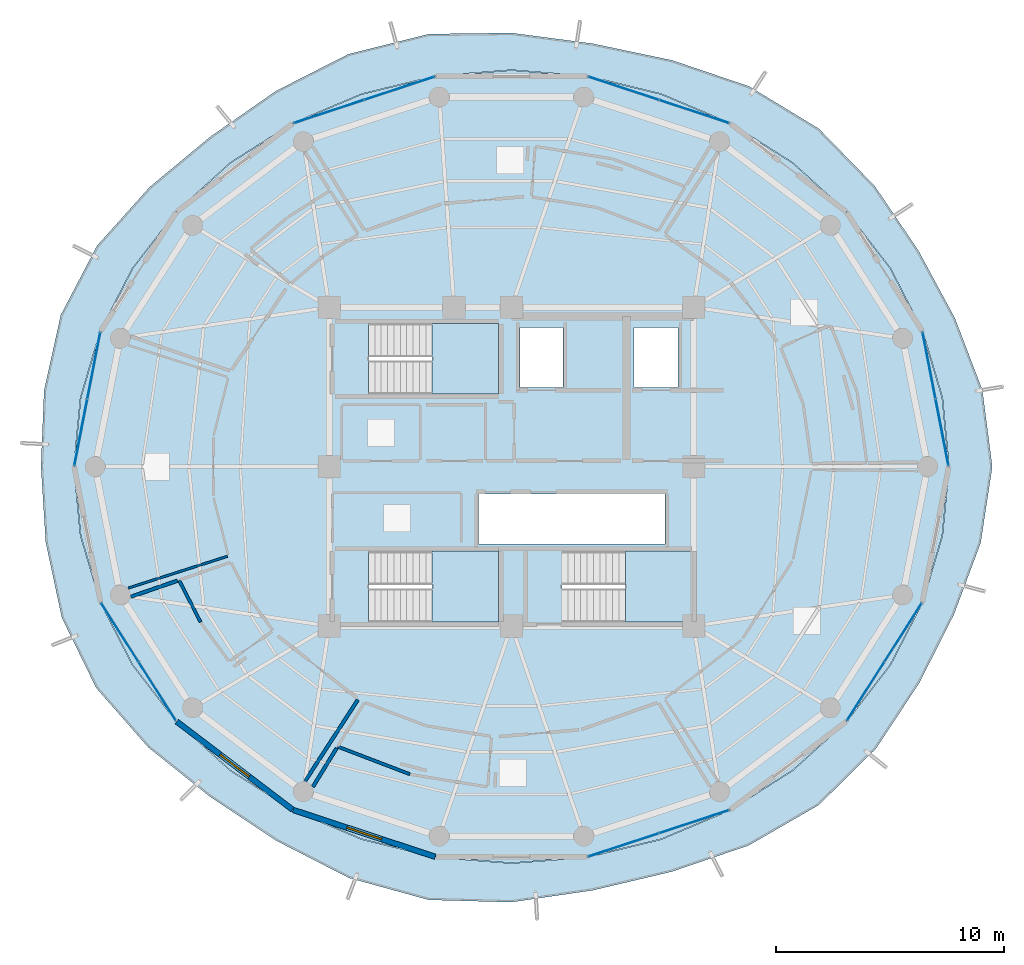
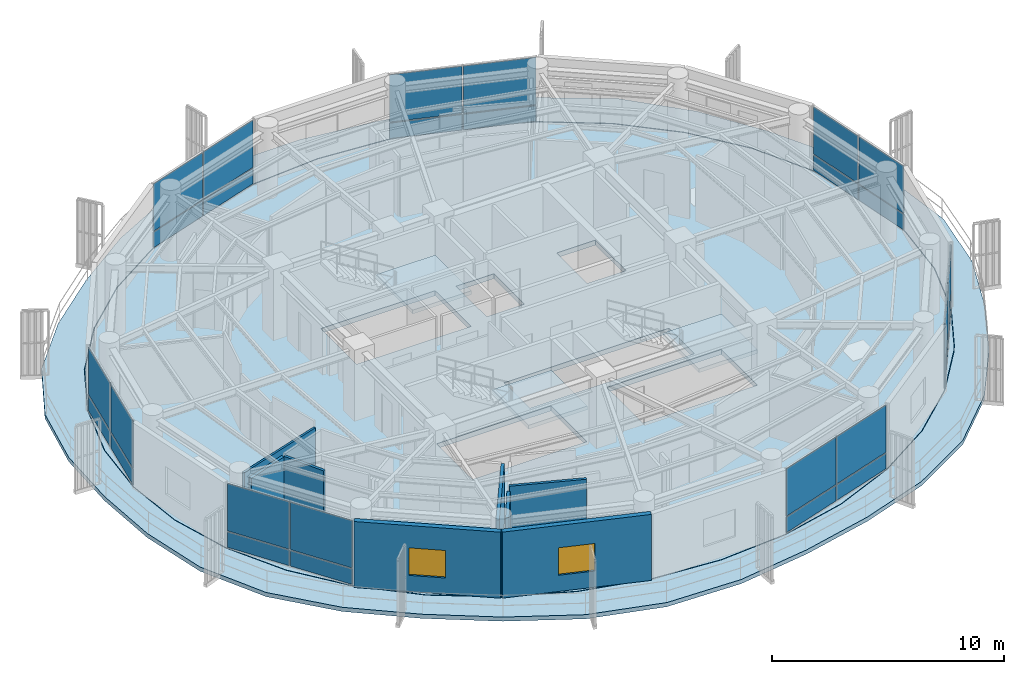
# One storey, part 15 of 23: 28 plates, 8 walls, 5 slabs, 2 windows, 2 openings, 10 elements without a shape of their own.
"""IFC4 building model written with IfcOpenShell, lengths in metres."""

import ifcopenshell
import ifcopenshell.guid

model = None  # the IFC model being written
_history = None  # IfcOwnerHistory: only IFC2X3 demands one
_inside = {}  # id of a spatial element -> (the spatial element, [elements in it])
_under = {}  # id of a project, library or spatial element -> (it, [spatial elements below it])
_declared = {}  # id of a project -> (the project, [libraries it declares])
_typed = {}  # id of a type object -> (the type object, [elements of that type])
_made_of = {}  # id of a material, layer set ... -> (it, [elements and type objects made of it])


def new_model(schema):
    """Start an empty IFC model of exactly this schema.

    Asked for "IFC4X3", IfcOpenShell would pick the latest addendum, in which some entities
    have other attributes; the version numbers below select the first issue.
    IFC2X3 requires an IfcOwnerHistory on every rooted entity: one is made here for all.
    """
    global model, _history
    if schema == "IFC4X3":
        model = ifcopenshell.file(schema_version=(4, 3, 0, 0))
    else:
        model = ifcopenshell.file(schema=schema)
    _inside.clear()
    _under.clear()
    _declared.clear()
    _typed.clear()
    _made_of.clear()
    _history = None
    if model.schema == "IFC2X3":
        org = make("IfcOrganization", Name="unknown")
        user = make(
            "IfcPersonAndOrganization",
            ThePerson=make("IfcPerson", FamilyName="unknown"),
            TheOrganization=org,
        )
        app = make(
            "IfcApplication",
            ApplicationDeveloper=org,
            Version="unknown",
            ApplicationFullName="unknown",
            ApplicationIdentifier="unknown",
        )
        _history = make(
            "IfcOwnerHistory",
            OwningUser=user,
            OwningApplication=app,
            ChangeAction="ADDED",
            CreationDate=0,
        )
    return model


def make(cls, **values):
    """One entity of the class cls with the attributes given. An attribute that is None is left unset."""
    return model.create_entity(
        cls, **{name: value for name, value in values.items() if value is not None}
    )


def rooted(cls, **values):
    """An entity with a GlobalId (a new one), such as an element, a storey or a relation."""
    return make(cls, GlobalId=ifcopenshell.guid.new(), OwnerHistory=_history, **values)


def si_unit(unit_type, name, prefix=None):
    """IfcSIUnit, for example si_unit("LENGTHUNIT", "METRE", prefix="MILLI")."""
    return make("IfcSIUnit", UnitType=unit_type, Prefix=prefix, Name=name)


def assignment(units):
    """IfcUnitAssignment: the units of a project."""
    return None if units is None else make("IfcUnitAssignment", Units=units)


def point(xyz):
    """IfcCartesianPoint."""
    return None if xyz is None else make("IfcCartesianPoint", Coordinates=xyz)


def direction(xyz):
    """IfcDirection."""
    return None if xyz is None else make("IfcDirection", DirectionRatios=xyz)


def frame(location, z_axis=None, x_axis=None):
    """IfcAxis2Placement3D, a coordinate frame: its origin and axes. An axis left out is left unset."""
    return make(
        "IfcAxis2Placement3D",
        Location=point(location),
        Axis=direction(z_axis),
        RefDirection=direction(x_axis),
    )


def frame_2d(location, x_axis=None):
    """IfcAxis2Placement2D, a coordinate frame in the plane: its origin and x axis."""
    return make(
        "IfcAxis2Placement2D", Location=point(location), RefDirection=direction(x_axis)
    )


def origin():
    """The frame at (0, 0, 0) with its axes left unset."""
    return frame((0.0, 0.0, 0.0))


def origin_2d():
    """The frame at (0, 0) in the plane with its x axis left unset."""
    return frame_2d((0.0, 0.0))


def place(relative_to, where):
    """IfcLocalPlacement: puts the frame where relative to a parent placement (None: the world)."""
    return make(
        "IfcLocalPlacement", PlacementRelTo=relative_to, RelativePlacement=where
    )


def context(
    kind, dimensions, precision=None, world=None, true_north=None, identifier=None
):
    """IfcGeometricRepresentationContext, for example the 3D "Model" context."""
    return make(
        "IfcGeometricRepresentationContext",
        ContextIdentifier=identifier,
        ContextType=kind,
        CoordinateSpaceDimension=dimensions,
        Precision=precision,
        WorldCoordinateSystem=world,
        TrueNorth=true_north,
    )


def subcontext(parent, identifier, kind, view, scale=None):
    """IfcGeometricRepresentationSubContext, for example "Body" below "Model"."""
    return make(
        "IfcGeometricRepresentationSubContext",
        ContextIdentifier=identifier,
        ContextType=kind,
        ParentContext=parent,
        TargetScale=scale,
        TargetView=view,
    )


def project(units=None, contexts=None):
    """IfcProject with its units and contexts."""
    return rooted(
        "IfcProject",
        Name="project",
        RepresentationContexts=contexts,
        UnitsInContext=assignment(units),
    )


def spatial(cls, under=None, at=None, **own):
    """A site, building, storey or space (cls), placed at a placement, below another one or the project."""
    s = rooted(cls, ObjectPlacement=at, **own)
    if under is not None:
        _under.setdefault(under.id(), (under, []))[1].append(s)
    return s


def polyline(points):
    """IfcPolyline through the points."""
    return make("IfcPolyline", Points=[point(p) for p in points])


def profile(cls, at=None, kind="AREA", **sizes):
    """A parametric profile (cls). Its sizes go by their IFC names, for example OverallWidth=200.0."""
    return make(cls, ProfileType=kind, Position=at, **sizes)


def rectangle(**sizes):
    """IfcRectangleProfileDef."""
    return profile("IfcRectangleProfileDef", **sizes)


def outline(outer, holes=None, kind="AREA"):
    """IfcArbitraryClosedProfileDef: a profile drawn as a closed curve; with holes, ...WithVoids."""
    if holes is None:
        return make("IfcArbitraryClosedProfileDef", ProfileType=kind, OuterCurve=outer)
    return make(
        "IfcArbitraryProfileDefWithVoids",
        ProfileType=kind,
        OuterCurve=outer,
        InnerCurves=holes,
    )


def extrude(swept, where, along, depth):
    """IfcExtrudedAreaSolid: the profile swept, set in the frame where, extruded along a direction by depth."""
    return make(
        "IfcExtrudedAreaSolid",
        SweptArea=swept,
        Position=where,
        ExtrudedDirection=direction(along),
        Depth=depth,
    )


def shape(context_of_items, identifier, shape_type, items):
    """IfcShapeRepresentation: the items that make up one representation, for example the "Body"."""
    return make(
        "IfcShapeRepresentation",
        ContextOfItems=context_of_items,
        RepresentationIdentifier=identifier,
        RepresentationType=shape_type,
        Items=items,
    )


def source(mapping_origin, context_of_items, identifier, shape_type, items):
    """IfcRepresentationMap: a shape defined once, which mapped items show again and again."""
    return make(
        "IfcRepresentationMap",
        MappingOrigin=mapping_origin,
        MappedRepresentation=shape(context_of_items, identifier, shape_type, items),
    )


def transform(
    local_origin,
    x_axis=None,
    y_axis=None,
    z_axis=None,
    scale=None,
    scale2=None,
    scale3=None,
    uniform=True,
):
    """IfcCartesianTransformationOperator3D, or its non-uniform kind. x_axis, y_axis, z_axis: its Axis1, 2, 3."""
    if uniform:
        return make(
            "IfcCartesianTransformationOperator3D",
            Axis1=direction(x_axis),
            Axis2=direction(y_axis),
            LocalOrigin=point(local_origin),
            Scale=scale,
            Axis3=direction(z_axis),
        )
    return make(
        "IfcCartesianTransformationOperator3DnonUniform",
        Axis1=direction(x_axis),
        Axis2=direction(y_axis),
        LocalOrigin=point(local_origin),
        Scale=scale,
        Axis3=direction(z_axis),
        Scale2=scale2,
        Scale3=scale3,
    )


def mapped(mapping_source, mapping_target):
    """IfcMappedItem: shows the shape of a source again, moved by a transform."""
    return make(
        "IfcMappedItem", MappingSource=mapping_source, MappingTarget=mapping_target
    )


def material(Name=None, Category=None):
    """IfcMaterial."""
    return make("IfcMaterial", Name=Name, Category=Category)


def layer(
    of_material, thickness, ventilated=None, Name=None, Category=None, Priority=None
):
    """IfcMaterialLayer: one layer of a wall or slab, of a material (None: an air gap)."""
    return make(
        "IfcMaterialLayer",
        Material=of_material,
        LayerThickness=thickness,
        IsVentilated=ventilated,
        Name=Name,
        Category=Category,
        Priority=Priority,
    )


def layer_set(layers, Name=None):
    """IfcMaterialLayerSet."""
    return make("IfcMaterialLayerSet", MaterialLayers=layers, LayerSetName=Name)


def made_of(thing, what):
    """Note that an element or type object is made of a material, layer set ...; save() writes the relation."""
    if what is not None:
        _made_of.setdefault(what.id(), (what, []))[1].append(thing)
    return thing


def type_object(cls, material=None, **own):
    """A type object (cls), such as IfcWallType, which elements share."""
    return made_of(rooted(cls, **own), material)


def element(
    cls,
    number,
    at=None,
    inside=None,
    cuts=None,
    type_object=None,
    material=None,
    context=None,
    identifier="Body",
    shape_type=None,
    held_by="IfcProductDefinitionShape",
    body=None,
    shapes=None,
    **own,
):
    """One element of the class cls, such as IfcWall. Its Tag is "e" and its number.

    at: its placement. inside: the storey or other place that contains it. cuts: it is an
    opening in that element (IfcRelVoidsElement). A single representation is given by context,
    identifier, shape_type and body (its items); several are given by shapes. held_by: the class
    of the entity that holds the representations. save() writes the other relations.
    """
    e = rooted(cls, Tag="e%d" % number, ObjectPlacement=at, **own)
    if body is not None:
        shapes = [shape(context, identifier, shape_type, body)]
    if shapes is not None:
        e.Representation = make(held_by, Representations=shapes)
    if inside is not None:
        _inside.setdefault(inside.id(), (inside, []))[1].append(e)
    if cuts is not None:
        rooted(
            "IfcRelVoidsElement", RelatingBuildingElement=cuts, RelatedOpeningElement=e
        )
    if type_object is not None:
        _typed.setdefault(type_object.id(), (type_object, []))[1].append(e)
    return made_of(e, material)


def fill(opening, filler):
    """IfcRelFillsElement: the door or window that sits in an opening."""
    return rooted(
        "IfcRelFillsElement",
        RelatingOpeningElement=opening,
        RelatedBuildingElement=filler,
    )


def aggregate(whole, parts):
    """IfcRelAggregates: a whole, such as a stair, and the parts it consists of."""
    return rooted("IfcRelAggregates", RelatingObject=whole, RelatedObjects=parts)


def save(model, path):
    """Write the relations noted so far, then the file.

    IfcRelAggregates (storeys below a building ...), IfcRelContainedInSpatialStructure (elements
    in a storey), IfcRelDefinesByType, IfcRelAssociatesMaterial and IfcRelDeclares: one each for
    every whole, place, type object, material and project.
    """
    for whole, parts in _under.values():
        aggregate(whole, parts)
    for where, things in _inside.values():
        rooted(
            "IfcRelContainedInSpatialStructure",
            RelatedElements=things,
            RelatingStructure=where,
        )
    for kind, things in _typed.values():
        rooted("IfcRelDefinesByType", RelatedObjects=things, RelatingType=kind)
    for what, things in _made_of.values():
        rooted("IfcRelAssociatesMaterial", RelatedObjects=things, RelatingMaterial=what)
    for by, libraries in _declared.values():
        rooted("IfcRelDeclares", RelatingContext=by, RelatedDefinitions=libraries)
    model.write(path)


model = new_model("IFC4")

# Units and contexts
model_context = context("Model", 3, precision=1e-05, world=origin(), true_north=direction((0.0, 1.0)))
body_context = subcontext(model_context, "Body", "Model", "MODEL_VIEW")
ifc_project = project(units=[si_unit("LENGTHUNIT", "METRE"), si_unit("AREAUNIT", "SQUARE_METRE"), si_unit("VOLUMEUNIT", "CUBIC_METRE"), si_unit("PLANEANGLEUNIT", "RADIAN"), si_unit("MASSUNIT", "GRAM", prefix="KILO")], contexts=[model_context])

# Site, building, storey
site_placement = place(None, origin())
site = spatial("IfcSite", under=ifc_project, at=site_placement, CompositionType="ELEMENT")
building_placement = place(site_placement, origin())
building = spatial("IfcBuilding", under=site, at=building_placement, Name="Kelanora Arch Commons", CompositionType="ELEMENT")
storey_placement = place(building_placement, frame((0.0, 0.0, 278.699951171875)))
storey = spatial("IfcBuildingStorey", under=building, at=storey_placement, Name="L71", CompositionType="ELEMENT", Elevation=278.699951171875)

# Stair, slab
ifc_material_1 = material(Name="Concrete C40/50", Category="concrete")
stair_type = type_object("IfcStairType", Name="STR-DL-375", PredefinedType="HALF_TURN_STAIR", material=ifc_material_1)
stair_1_placement = place(storey_placement, origin())
stair_1 = element("IfcStair", 1, at=stair_1_placement, inside=storey, type_object=stair_type, Name="L71 ST-T1", PredefinedType="HALF_TURN_STAIR")
ifc_layer_1 = layer(ifc_material_1, 0.199951171875)
ifc_layer_set_1 = layer_set([ifc_layer_1], Name="Concrete C40/50")
slab_type_1 = type_object("IfcSlabType", Name="SLB-STAIR-LND", PredefinedType="LANDING", material=ifc_layer_set_1)
slab_1_placement = place(storey_placement, frame((0.0, 0.0, 1.675048828125)))
slab_1 = element("IfcSlab", 2, at=slab_1_placement, type_object=slab_type_1, Name="ST-T1 landing 1", PredefinedType="LANDING", context=body_context, shape_type="SweptSolid", body=[
    extrude(outline(polyline([(70.52001953125, 61.179931640625), (73.43994140625, 61.179931640625), (73.43994140625, 64.2900390625), (70.52001953125, 64.2900390625), (70.52001953125, 61.179931640625)])), origin(), (0.0, 0.0, 1.0), 0.199951171875),
])
aggregate(stair_1, [slab_1])

stair_2_placement = place(storey_placement, origin())
stair_2 = element("IfcStair", 3, at=stair_2_placement, inside=storey, type_object=stair_type, Name="L71 ST-T2", PredefinedType="HALF_TURN_STAIR")
slab_2_placement = place(storey_placement, frame((0.0, 0.0, 1.675048828125)))
slab_2 = element("IfcSlab", 4, at=slab_2_placement, type_object=slab_type_1, Name="ST-T2 landing 1", PredefinedType="LANDING", context=body_context, shape_type="SweptSolid", body=[
    extrude(outline(polyline([(79.0, 51.179931640625), (81.919921875, 51.179931640625), (81.919921875, 54.2900390625), (79.0, 54.2900390625), (79.0, 51.179931640625)])), origin(), (0.0, 0.0, 1.0), 0.199951171875),
])
aggregate(stair_2, [slab_2])

stair_3_placement = place(storey_placement, origin())
stair_3 = element("IfcStair", 5, at=stair_3_placement, inside=storey, type_object=stair_type, Name="L71 ST-T3", PredefinedType="HALF_TURN_STAIR")
slab_3_placement = place(storey_placement, frame((0.0, 0.0, 1.675048828125)))
slab_3 = element("IfcSlab", 6, at=slab_3_placement, type_object=slab_type_1, Name="ST-T3 landing 1", PredefinedType="LANDING", context=body_context, shape_type="SweptSolid", body=[
    extrude(outline(polyline([(70.52001953125, 51.179931640625), (73.43994140625, 51.179931640625), (73.43994140625, 54.2900390625), (70.52001953125, 54.2900390625), (70.52001953125, 51.179931640625)])), origin(), (0.0, 0.0, 1.0), 0.199951171875),
])
aggregate(stair_3, [slab_3])

# Slabs
ifc_layer_2 = layer(ifc_material_1, 0.260009765625)
ifc_layer_set_2 = layer_set([ifc_layer_2], Name="Concrete C40/50")
slab_type_2 = type_object("IfcSlabType", Name="SLB-TWR-TYP", PredefinedType="FLOOR", material=ifc_layer_set_2)
slab_4_placement = place(storey_placement, frame((0.0, 0.0, -0.260009765625)))
element("IfcSlab", 7, at=slab_4_placement, inside=storey, type_object=slab_type_2, Name="Tower Floor Slab L71", PredefinedType="FLOOR", context=body_context, shape_type="SweptSolid", body=[
    extrude(outline(polyline([(93.199951171875, 58.0), (92.908203125, 61.021484375), (92.0419921875, 63.951171875), (90.627685546875, 66.699951171875), (88.7080078125, 69.1845703125), (86.341552734375, 71.3291015625), (83.60009765625, 73.06884765625), (80.56689453125, 74.3505859375), (77.333984375, 75.1357421875), (74.0, 75.39990234375), (70.666015625, 75.1357421875), (67.43310546875, 74.3505859375), (64.39990234375, 73.06884765625), (61.658447265625, 71.3291015625), (59.2919921875, 69.1845703125), (57.372314453125, 66.699951171875), (55.9580078125, 63.951171875), (55.091796875, 61.021484375), (54.800048828125, 58.0), (55.091796875, 54.978515625), (55.9580078125, 52.048828125), (57.372314453125, 49.300048828125), (59.2919921875, 46.8154296875), (61.658447265625, 44.6708984375), (64.39990234375, 42.93115234375), (67.43310546875, 41.6494140625), (70.666015625, 40.8642578125), (74.0, 40.60009765625), (77.333984375, 40.8642578125), (80.56689453125, 41.6494140625), (83.60009765625, 42.93115234375), (86.341552734375, 44.6708984375), (88.7080078125, 46.8154296875), (90.627685546875, 49.300048828125), (92.0419921875, 52.048828125), (92.908203125, 54.978515625), (93.199951171875, 58.0)]), holes=[polyline([(73.431884765625, 51.18798828125), (67.72802734375, 51.18798828125), (67.72802734375, 54.281982421875), (73.431884765625, 54.281982421875), (73.431884765625, 51.18798828125)]), polyline([(76.2080078125, 51.18798828125), (76.2080078125, 54.281982421875), (81.912109375, 54.281982421875), (81.912109375, 51.18798828125), (76.2080078125, 51.18798828125)]), polyline([(72.550048828125, 54.60009765625), (72.550048828125, 56.800048828125), (80.75, 56.800048828125), (80.75, 54.60009765625), (72.550048828125, 54.60009765625)]), polyline([(73.431884765625, 61.18798828125), (67.72802734375, 61.18798828125), (67.72802734375, 64.281982421875), (73.431884765625, 64.281982421875), (73.431884765625, 61.18798828125)]), polyline([(74.3798828125, 61.47998046875), (74.3798828125, 64.1201171875), (76.260009765625, 64.1201171875), (76.260009765625, 61.47998046875), (74.3798828125, 61.47998046875)]), polyline([(79.3798828125, 61.47998046875), (79.3798828125, 64.1201171875), (81.320068359375, 64.1201171875), (81.320068359375, 61.47998046875), (79.3798828125, 61.47998046875)])]), origin(), (0.0, 0.0, 1.0), 0.260009765625),
])
ifc_layer_3 = layer(ifc_material_1, 0.219970703125)
ifc_layer_set_3 = layer_set([ifc_layer_3], Name="Concrete C40/50")
slab_type_3 = type_object("IfcSlabType", Name="SLB-WAVE-BAL", PredefinedType="FLOOR", material=ifc_layer_set_3)
slab_5_placement = place(storey_placement, frame((0.0, 0.0, -0.219970703125)))
element("IfcSlab", 8, at=slab_5_placement, inside=storey, type_object=slab_type_3, Name="Sinusoidal Wave Balcony Slab L71", PredefinedType="FLOOR", context=body_context, shape_type="SweptSolid", body=[
    extrude(outline(polyline([(95.10986328125, 58.0), (94.673583984375, 61.364990234375), (93.467041015625, 64.5234375), (91.864990234375, 67.48828125), (89.943115234375, 70.328125), (87.4912109375, 72.841064453125), (84.448974609375, 74.69140625), (81.05810546875, 75.840087890625), (77.56396484375, 76.57421875), (74.0, 77.04345703125), (70.368896484375, 76.99462890625), (66.8505859375, 76.11669921875), (63.656005859375, 74.49072265625), (60.77880859375, 72.486083984375), (58.114501953125, 70.274658203125), (55.803955078125, 67.69921875), (54.2109375, 64.652587890625), (53.478515625, 61.335205078125), (53.34326171875, 58.0), (53.55224609375, 54.678955078125), (54.2587890625, 51.366455078125), (55.770263671875, 48.279296875), (58.056884765625, 45.671875), (60.7705078125, 43.5029296875), (63.68798828125, 41.570556640625), (66.869873046875, 39.94140625), (70.364501953125, 38.978515625), (74.0, 38.876708984375), (77.568115234375, 39.398681640625), (81.038818359375, 40.218017578125), (84.4169921875, 41.369873046875), (87.499755859375, 43.147705078125), (90.0009765625, 45.618408203125), (91.898681640625, 48.490234375), (93.419189453125, 51.49560546875), (94.599853515625, 54.6494140625), (95.10986328125, 58.0)]), holes=[polyline([(92.927978515625, 54.97509765625), (92.060791015625, 52.0419921875), (90.64501953125, 49.2900390625), (88.723388671875, 46.802490234375), (86.3544921875, 44.655517578125), (83.610107421875, 42.913818359375), (80.573486328125, 41.630615234375), (77.33740234375, 40.844482421875), (74.0, 40.580078125), (70.66259765625, 40.844482421875), (67.426513671875, 41.630615234375), (64.389892578125, 42.913818359375), (61.6455078125, 44.655517578125), (59.276611328125, 46.802490234375), (57.35498046875, 49.2900390625), (55.939208984375, 52.0419921875), (55.072021484375, 54.97509765625), (54.780029296875, 58.0), (55.072021484375, 61.02490234375), (55.939208984375, 63.9580078125), (57.35498046875, 66.7099609375), (59.276611328125, 69.197509765625), (61.6455078125, 71.344482421875), (64.389892578125, 73.086181640625), (67.426513671875, 74.369384765625), (70.66259765625, 75.155517578125), (74.0, 75.419921875), (77.33740234375, 75.155517578125), (80.573486328125, 74.369384765625), (83.610107421875, 73.086181640625), (86.3544921875, 71.344482421875), (88.723388671875, 69.197509765625), (90.64501953125, 66.7099609375), (92.060791015625, 63.9580078125), (92.927978515625, 61.02490234375), (93.219970703125, 58.0), (92.927978515625, 54.97509765625)])]), origin(), (0.0, 0.0, 1.0), 0.219970703125),
])

# Curtain wall, plates
ifc_material_2 = material(Name="Terracotta ceramic-fritted low-E glass and aluminium", Category="masonry")
ifc_layer_4 = layer(ifc_material_2, 0.18994140625)
ifc_layer_set_4 = layer_set([ifc_layer_4], Name="Terracotta ceramic-fritted low-E glass and aluminium")
curtain_wall_type = type_object("IfcCurtainWallType", Name="CW-SYS-03", PredefinedType="NOTDEFINED", material=ifc_layer_set_4)
curtain_wall_1_placement = place(storey_placement, origin())
curtain_wall_1 = element("IfcCurtainWall", 9, at=curtain_wall_1_placement, inside=storey, type_object=curtain_wall_type, Name="Unitised Curtain Wall L71-B00", PredefinedType="NOTDEFINED")
ifc_material_3 = material(Name="Terracotta ceramic-fritted double glazing", Category="masonry")
ifc_layer_5 = layer(ifc_material_3, 0.028076171875)
ifc_layer_set_5 = layer_set([ifc_layer_5], Name="Terracotta ceramic-fritted double glazing")
plate_type = type_object("IfcPlateType", Name="CWP-FRIT", PredefinedType="CURTAIN_PANEL", material=ifc_layer_set_5)
shared_shape_1 = source(origin(), body_context, "Body", "SweptSolid", [
    extrude(rectangle(XDim=2.926513671875, YDim=0.028076171875, at=origin_2d()), origin(), (0.0, 0.0, 1.0), 0.81005859375),
])
plate_1_placement = place(storey_placement, frame((92.90625, 59.509765625, 0.06005859375), z_axis=(0.0, 0.0, 1.0), x_axis=(-0.190971701941, 0.981595542501, 0.0)))
plate_1 = element("IfcPlate", 10, at=plate_1_placement, type_object=plate_type, Name="CW-03 panel 1.1", PredefinedType="CURTAIN_PANEL", context=body_context, shape_type="MappedRepresentation", body=[
    mapped(shared_shape_1, transform((0.0, 0.0, 0.0), scale=1.0)),
])
plate_2_placement = place(storey_placement, frame((92.3359375, 62.44140625, 0.06005859375), z_axis=(0.0, 0.0, 1.0), x_axis=(-0.190971701941, 0.981595542501, 0.0)))
plate_2 = element("IfcPlate", 11, at=plate_2_placement, type_object=plate_type, Name="CW-03 panel 2.1", PredefinedType="CURTAIN_PANEL", context=body_context, shape_type="MappedRepresentation", body=[
    mapped(shared_shape_1, transform((0.0, 0.0, 0.0), scale=1.0)),
])

curtain_wall_2_placement = place(storey_placement, origin())
curtain_wall_2 = element("IfcCurtainWall", 12, at=curtain_wall_2_placement, inside=storey, type_object=curtain_wall_type, Name="Unitised Curtain Wall L71-B08", PredefinedType="NOTDEFINED")
plate_3_placement = place(storey_placement, frame((55.6640625, 62.44140625, 0.06005859375), z_axis=(0.0, 0.0, 1.0), x_axis=(-0.190971701941, -0.981595542501, 0.0)))
plate_3 = element("IfcPlate", 13, at=plate_3_placement, type_object=plate_type, Name="CW-03 panel 1.1", PredefinedType="CURTAIN_PANEL", context=body_context, shape_type="MappedRepresentation", body=[
    mapped(shared_shape_1, transform((0.0, 0.0, 0.0), scale=1.0)),
])
plate_4_placement = place(storey_placement, frame((55.09375, 59.509765625, 0.06005859375), z_axis=(0.0, 0.0, 1.0), x_axis=(-0.190971701941, -0.981595542501, 0.0)))
plate_4 = element("IfcPlate", 14, at=plate_4_placement, type_object=plate_type, Name="CW-03 panel 2.1", PredefinedType="CURTAIN_PANEL", context=body_context, shape_type="MappedRepresentation", body=[
    mapped(shared_shape_1, transform((0.0, 0.0, 0.0), scale=1.0)),
])

# Plate
shared_shape_2 = source(origin(), body_context, "Body", "SweptSolid", [
    extrude(rectangle(XDim=2.926513671875, YDim=0.028076171875, at=origin_2d()), origin(), (0.0, 0.0, 1.0), 2.485107421875),
])
plate_5_placement = place(storey_placement, frame((92.90625, 59.509765625, 0.93017578125), z_axis=(0.0, 0.0, 1.0), x_axis=(-0.190971701941, 0.981595542501, 0.0)))
plate_5 = element("IfcPlate", 15, at=plate_5_placement, type_object=plate_type, Name="CW-03 panel 1.2", PredefinedType="CURTAIN_PANEL", context=body_context, shape_type="MappedRepresentation", body=[
    mapped(shared_shape_2, transform((0.0, 0.0, 0.0), scale=1.0)),
])

plate_6_placement = place(storey_placement, frame((92.3359375, 62.44140625, 0.93017578125), z_axis=(0.0, 0.0, 1.0), x_axis=(-0.190971701941, 0.981595542501, 0.0)))
plate_6 = element("IfcPlate", 16, at=plate_6_placement, type_object=plate_type, Name="CW-03 panel 2.2", PredefinedType="CURTAIN_PANEL", context=body_context, shape_type="MappedRepresentation", body=[
    mapped(shared_shape_2, transform((0.0, 0.0, 0.0), scale=1.0)),
])

aggregate(curtain_wall_1, [plate_1, plate_5, plate_2, plate_6])

plate_7_placement = place(storey_placement, frame((55.6640625, 62.44140625, 0.93017578125), z_axis=(0.0, 0.0, 1.0), x_axis=(-0.190971701941, -0.981595542501, 0.0)))
plate_7 = element("IfcPlate", 17, at=plate_7_placement, type_object=plate_type, Name="CW-03 panel 1.2", PredefinedType="CURTAIN_PANEL", context=body_context, shape_type="MappedRepresentation", body=[
    mapped(shared_shape_2, transform((0.0, 0.0, 0.0), scale=1.0)),
])

plate_8_placement = place(storey_placement, frame((55.09375, 59.509765625, 0.93017578125), z_axis=(0.0, 0.0, 1.0), x_axis=(-0.190971701941, -0.981595542501, 0.0)))
plate_8 = element("IfcPlate", 18, at=plate_8_placement, type_object=plate_type, Name="CW-03 panel 2.2", PredefinedType="CURTAIN_PANEL", context=body_context, shape_type="MappedRepresentation", body=[
    mapped(shared_shape_2, transform((0.0, 0.0, 0.0), scale=1.0)),
])

aggregate(curtain_wall_2, [plate_3, plate_7, plate_4, plate_8])

# Curtain wall, plates
curtain_wall_3_placement = place(storey_placement, origin())
curtain_wall_3 = element("IfcCurtainWall", 19, at=curtain_wall_3_placement, inside=storey, type_object=curtain_wall_type, Name="Unitised Curtain Wall L71-B03", PredefinedType="NOTDEFINED")
shared_shape_3 = source(origin(), body_context, "Body", "SweptSolid", [
    extrude(rectangle(XDim=3.194091796875, YDim=0.028076171875, at=origin_2d()), origin(), (0.0, 0.0, 1.0), 0.81005859375),
])
plate_9_placement = place(storey_placement, frame((82.01220703125, 73.592529296875, 0.06005859375), z_axis=(0.0, 0.0, 1.0), x_axis=(-0.949669780752, 0.313252785344, 0.0)))
plate_9 = element("IfcPlate", 20, at=plate_9_placement, type_object=plate_type, Name="CW-03 panel 1.1", PredefinedType="CURTAIN_PANEL", context=body_context, shape_type="MappedRepresentation", body=[
    mapped(shared_shape_3, transform((0.0, 0.0, 0.0), scale=1.0)),
])
plate_10_placement = place(storey_placement, frame((78.921875, 74.61181640625, 0.06005859375), z_axis=(0.0, 0.0, 1.0), x_axis=(-0.949669780752, 0.313252785344, 0.0)))
plate_10 = element("IfcPlate", 21, at=plate_10_placement, type_object=plate_type, Name="CW-03 panel 2.1", PredefinedType="CURTAIN_PANEL", context=body_context, shape_type="MappedRepresentation", body=[
    mapped(shared_shape_3, transform((0.0, 0.0, 0.0), scale=1.0)),
])

curtain_wall_4_placement = place(storey_placement, origin())
curtain_wall_4 = element("IfcCurtainWall", 22, at=curtain_wall_4_placement, inside=storey, type_object=curtain_wall_type, Name="Unitised Curtain Wall L71-B05", PredefinedType="NOTDEFINED")
plate_11_placement = place(storey_placement, frame((69.078125, 74.61181640625, 0.06005859375), z_axis=(0.0, 0.0, 1.0), x_axis=(-0.949669780752, -0.313252785344, 0.0)))
plate_11 = element("IfcPlate", 23, at=plate_11_placement, type_object=plate_type, Name="CW-03 panel 1.1", PredefinedType="CURTAIN_PANEL", context=body_context, shape_type="MappedRepresentation", body=[
    mapped(shared_shape_3, transform((0.0, 0.0, 0.0), scale=1.0)),
])
plate_12_placement = place(storey_placement, frame((65.98779296875, 73.592529296875, 0.06005859375), z_axis=(0.0, 0.0, 1.0), x_axis=(-0.949669780752, -0.313252785344, 0.0)))
plate_12 = element("IfcPlate", 24, at=plate_12_placement, type_object=plate_type, Name="CW-03 panel 2.1", PredefinedType="CURTAIN_PANEL", context=body_context, shape_type="MappedRepresentation", body=[
    mapped(shared_shape_3, transform((0.0, 0.0, 0.0), scale=1.0)),
])

curtain_wall_5_placement = place(storey_placement, origin())
curtain_wall_5 = element("IfcCurtainWall", 25, at=curtain_wall_5_placement, inside=storey, type_object=curtain_wall_type, Name="Unitised Curtain Wall L71-B14", PredefinedType="NOTDEFINED")
plate_13_placement = place(storey_placement, frame((78.921875, 41.38818359375, 0.06005859375), z_axis=(0.0, 0.0, 1.0), x_axis=(0.949669780752, 0.313252785344, 0.0)))
plate_13 = element("IfcPlate", 26, at=plate_13_placement, type_object=plate_type, Name="CW-03 panel 1.1", PredefinedType="CURTAIN_PANEL", context=body_context, shape_type="MappedRepresentation", body=[
    mapped(shared_shape_3, transform((0.0, 0.0, 0.0), scale=1.0)),
])
plate_14_placement = place(storey_placement, frame((82.01220703125, 42.407470703125, 0.06005859375), z_axis=(0.0, 0.0, 1.0), x_axis=(0.949669780752, 0.313252785344, 0.0)))
plate_14 = element("IfcPlate", 27, at=plate_14_placement, type_object=plate_type, Name="CW-03 panel 2.1", PredefinedType="CURTAIN_PANEL", context=body_context, shape_type="MappedRepresentation", body=[
    mapped(shared_shape_3, transform((0.0, 0.0, 0.0), scale=1.0)),
])

# Plate
shared_shape_4 = source(origin(), body_context, "Body", "SweptSolid", [
    extrude(rectangle(XDim=3.194091796875, YDim=0.028076171875, at=origin_2d()), origin(), (0.0, 0.0, 1.0), 2.485107421875),
])
plate_15_placement = place(storey_placement, frame((82.01220703125, 73.592529296875, 0.93017578125), z_axis=(0.0, 0.0, 1.0), x_axis=(-0.949669780752, 0.313252785344, 0.0)))
plate_15 = element("IfcPlate", 28, at=plate_15_placement, type_object=plate_type, Name="CW-03 panel 1.2", PredefinedType="CURTAIN_PANEL", context=body_context, shape_type="MappedRepresentation", body=[
    mapped(shared_shape_4, transform((0.0, 0.0, 0.0), scale=1.0)),
])

plate_16_placement = place(storey_placement, frame((78.921875, 74.61181640625, 0.93017578125), z_axis=(0.0, 0.0, 1.0), x_axis=(-0.949669780752, 0.313252785344, 0.0)))
plate_16 = element("IfcPlate", 29, at=plate_16_placement, type_object=plate_type, Name="CW-03 panel 2.2", PredefinedType="CURTAIN_PANEL", context=body_context, shape_type="MappedRepresentation", body=[
    mapped(shared_shape_4, transform((0.0, 0.0, 0.0), scale=1.0)),
])

aggregate(curtain_wall_3, [plate_9, plate_15, plate_10, plate_16])

plate_17_placement = place(storey_placement, frame((69.078125, 74.61181640625, 0.93017578125), z_axis=(0.0, 0.0, 1.0), x_axis=(-0.949669780752, -0.313252785344, 0.0)))
plate_17 = element("IfcPlate", 30, at=plate_17_placement, type_object=plate_type, Name="CW-03 panel 1.2", PredefinedType="CURTAIN_PANEL", context=body_context, shape_type="MappedRepresentation", body=[
    mapped(shared_shape_4, transform((0.0, 0.0, 0.0), scale=1.0)),
])

plate_18_placement = place(storey_placement, frame((65.98779296875, 73.592529296875, 0.93017578125), z_axis=(0.0, 0.0, 1.0), x_axis=(-0.949669780752, -0.313252785344, 0.0)))
plate_18 = element("IfcPlate", 31, at=plate_18_placement, type_object=plate_type, Name="CW-03 panel 2.2", PredefinedType="CURTAIN_PANEL", context=body_context, shape_type="MappedRepresentation", body=[
    mapped(shared_shape_4, transform((0.0, 0.0, 0.0), scale=1.0)),
])

aggregate(curtain_wall_4, [plate_11, plate_17, plate_12, plate_18])

plate_19_placement = place(storey_placement, frame((78.921875, 41.38818359375, 0.93017578125), z_axis=(0.0, 0.0, 1.0), x_axis=(0.949669780752, 0.313252785344, 0.0)))
plate_19 = element("IfcPlate", 32, at=plate_19_placement, type_object=plate_type, Name="CW-03 panel 1.2", PredefinedType="CURTAIN_PANEL", context=body_context, shape_type="MappedRepresentation", body=[
    mapped(shared_shape_4, transform((0.0, 0.0, 0.0), scale=1.0)),
])

plate_20_placement = place(storey_placement, frame((82.01220703125, 42.407470703125, 0.93017578125), z_axis=(0.0, 0.0, 1.0), x_axis=(0.949669780752, 0.313252785344, 0.0)))
plate_20 = element("IfcPlate", 33, at=plate_20_placement, type_object=plate_type, Name="CW-03 panel 2.2", PredefinedType="CURTAIN_PANEL", context=body_context, shape_type="MappedRepresentation", body=[
    mapped(shared_shape_4, transform((0.0, 0.0, 0.0), scale=1.0)),
])

aggregate(curtain_wall_5, [plate_13, plate_19, plate_14, plate_20])

# Curtain wall, plates
curtain_wall_6_placement = place(storey_placement, origin())
curtain_wall_6 = element("IfcCurtainWall", 34, at=curtain_wall_6_placement, inside=storey, type_object=curtain_wall_type, Name="Unitised Curtain Wall L71-B10", PredefinedType="NOTDEFINED")
shared_shape_5 = source(origin(), body_context, "Body", "SweptSolid", [
    extrude(rectangle(XDim=2.99755859375, YDim=0.028076171875, at=origin_2d()), origin(), (0.0, 0.0, 1.0), 0.81005859375),
])
plate_21_placement = place(storey_placement, frame((56.803466796875, 50.721435546875, 0.06005859375), z_axis=(0.0, 0.0, 1.0), x_axis=(0.537299814397, -0.843391314545, 0.0)))
plate_21 = element("IfcPlate", 35, at=plate_21_placement, type_object=plate_type, Name="CW-03 panel 1.1", PredefinedType="CURTAIN_PANEL", context=body_context, shape_type="MappedRepresentation", body=[
    mapped(shared_shape_5, transform((0.0, 0.0, 0.0), scale=1.0)),
])
plate_22_placement = place(storey_placement, frame((58.4462890625, 48.142822265625, 0.06005859375), z_axis=(0.0, 0.0, 1.0), x_axis=(0.537299814397, -0.843391314545, 0.0)))
plate_22 = element("IfcPlate", 36, at=plate_22_placement, type_object=plate_type, Name="CW-03 panel 2.1", PredefinedType="CURTAIN_PANEL", context=body_context, shape_type="MappedRepresentation", body=[
    mapped(shared_shape_5, transform((0.0, 0.0, 0.0), scale=1.0)),
])

curtain_wall_7_placement = place(storey_placement, origin())
curtain_wall_7 = element("IfcCurtainWall", 37, at=curtain_wall_7_placement, inside=storey, type_object=curtain_wall_type, Name="Unitised Curtain Wall L71-B16", PredefinedType="NOTDEFINED")
plate_23_placement = place(storey_placement, frame((89.5537109375, 48.142822265625, 0.06005859375), z_axis=(0.0, 0.0, 1.0), x_axis=(0.537299814397, 0.843391314545, 0.0)))
plate_23 = element("IfcPlate", 38, at=plate_23_placement, type_object=plate_type, Name="CW-03 panel 1.1", PredefinedType="CURTAIN_PANEL", context=body_context, shape_type="MappedRepresentation", body=[
    mapped(shared_shape_5, transform((0.0, 0.0, 0.0), scale=1.0)),
])
plate_24_placement = place(storey_placement, frame((91.196533203125, 50.721435546875, 0.06005859375), z_axis=(0.0, 0.0, 1.0), x_axis=(0.537299814397, 0.843391314545, 0.0)))
plate_24 = element("IfcPlate", 39, at=plate_24_placement, type_object=plate_type, Name="CW-03 panel 2.1", PredefinedType="CURTAIN_PANEL", context=body_context, shape_type="MappedRepresentation", body=[
    mapped(shared_shape_5, transform((0.0, 0.0, 0.0), scale=1.0)),
])

# Plate
shared_shape_6 = source(origin(), body_context, "Body", "SweptSolid", [
    extrude(rectangle(XDim=2.99755859375, YDim=0.028076171875, at=origin_2d()), origin(), (0.0, 0.0, 1.0), 2.485107421875),
])
plate_25_placement = place(storey_placement, frame((56.803466796875, 50.721435546875, 0.93017578125), z_axis=(0.0, 0.0, 1.0), x_axis=(0.537299814397, -0.843391314545, 0.0)))
plate_25 = element("IfcPlate", 40, at=plate_25_placement, type_object=plate_type, Name="CW-03 panel 1.2", PredefinedType="CURTAIN_PANEL", context=body_context, shape_type="MappedRepresentation", body=[
    mapped(shared_shape_6, transform((0.0, 0.0, 0.0), scale=1.0)),
])

plate_26_placement = place(storey_placement, frame((58.4462890625, 48.142822265625, 0.93017578125), z_axis=(0.0, 0.0, 1.0), x_axis=(0.537299814397, -0.843391314545, 0.0)))
plate_26 = element("IfcPlate", 41, at=plate_26_placement, type_object=plate_type, Name="CW-03 panel 2.2", PredefinedType="CURTAIN_PANEL", context=body_context, shape_type="MappedRepresentation", body=[
    mapped(shared_shape_6, transform((0.0, 0.0, 0.0), scale=1.0)),
])

aggregate(curtain_wall_6, [plate_21, plate_25, plate_22, plate_26])

plate_27_placement = place(storey_placement, frame((89.5537109375, 48.142822265625, 0.93017578125), z_axis=(0.0, 0.0, 1.0), x_axis=(0.537299814397, 0.843391314545, 0.0)))
plate_27 = element("IfcPlate", 42, at=plate_27_placement, type_object=plate_type, Name="CW-03 panel 1.2", PredefinedType="CURTAIN_PANEL", context=body_context, shape_type="MappedRepresentation", body=[
    mapped(shared_shape_6, transform((0.0, 0.0, 0.0), scale=1.0)),
])

plate_28_placement = place(storey_placement, frame((91.196533203125, 50.721435546875, 0.93017578125), z_axis=(0.0, 0.0, 1.0), x_axis=(0.537299814397, 0.843391314545, 0.0)))
plate_28 = element("IfcPlate", 43, at=plate_28_placement, type_object=plate_type, Name="CW-03 panel 2.2", PredefinedType="CURTAIN_PANEL", context=body_context, shape_type="MappedRepresentation", body=[
    mapped(shared_shape_6, transform((0.0, 0.0, 0.0), scale=1.0)),
])

aggregate(curtain_wall_7, [plate_23, plate_27, plate_24, plate_28])

# Walls
ifc_material_4 = material(Name="Autoclaved aerated concrete blockwork with fire plaster", Category="masonry")
ifc_layer_6 = layer(ifc_material_4, 0.14990234375)
ifc_layer_set_6 = layer_set([ifc_layer_6], Name="Autoclaved aerated concrete blockwork with fire plaster")
wall_type_1 = type_object("IfcWallType", Name="W-COMP-150", PredefinedType="PARTITIONING", material=ifc_layer_set_6)
wall_1_placement = place(storey_placement, frame((67.254150390625, 47.760498046875, 0.0), z_axis=(0.0, 0.0, 1.0), x_axis=(-0.544234825024, -0.838932926539, 0.0)))
element("IfcWall", 44, at=wall_1_placement, inside=storey, type_object=wall_type_1, Name="Co-Living Studio L71-04 Enclosure Partition 2", PredefinedType="PARTITIONING", context=body_context, shape_type="SweptSolid", body=[
    extrude(rectangle(XDim=4.2490234375, YDim=0.14990234375, at=frame_2d((2.12451171875, 0.0))), origin(), (0.0, 0.0, 1.0), 3.074951171875),
])
wall_2_placement = place(storey_placement, frame((57.291015625, 52.28662109375, 0.0), z_axis=(0.0, 0.0, 1.0), x_axis=(0.945101825102, 0.326775978598, 0.0)))
element("IfcWall", 45, at=wall_2_placement, inside=storey, type_object=wall_type_1, Name="Co-Living Studio L71-04 Enclosure Partition 5", PredefinedType="PARTITIONING", context=body_context, shape_type="SweptSolid", body=[
    extrude(rectangle(XDim=2.155517578125, YDim=0.14990234375, at=frame_2d((1.07763671875, 0.0))), origin(), (0.0, 0.0, 1.0), 3.074951171875),
])
wall_3_placement = place(storey_placement, frame((65.282958984375, 43.944091796875, 0.0), z_axis=(0.0, 0.0, 1.0), x_axis=(0.522809528722, 0.852449527349, 0.0)))
element("IfcWall", 46, at=wall_3_placement, inside=storey, type_object=wall_type_1, Name="Co-Living Studio L71-05 Enclosure Partition 6", PredefinedType="PARTITIONING", context=body_context, shape_type="SweptSolid", body=[
    extrude(rectangle(XDim=1.9892578125, YDim=0.14990234375, at=frame_2d((0.99462890625, 0.0))), origin(), (0.0, 0.0, 1.0), 3.235107421875),
])

# Wall, opening, window
ifc_material_5 = material(Name="Precast concrete C40/50 upper-zone terracotta rainscreen", Category="masonry")
ifc_layer_7 = layer(ifc_material_5, 0.239990234375)
ifc_layer_set_7 = layer_set([ifc_layer_7], Name="Precast concrete C40/50 upper-zone terracotta rainscreen")
wall_type_2 = type_object("IfcWallType", Name="W-EXT-TC2", PredefinedType="SOLIDWALL", material=ifc_layer_set_7)
wall_4_placement = place(storey_placement, frame((59.3037109375, 46.806396484375, 0.0), z_axis=(0.0, 0.0, 1.0), x_axis=(0.796010444211, -0.605282886514, 0.0)))
wall_4 = element("IfcWall", 47, at=wall_4_placement, inside=storey, type_object=wall_type_2, Name="Terracotta Exterior Wall L71-B11", PredefinedType="SOLIDWALL", context=body_context, shape_type="SweptSolid", body=[
    extrude(rectangle(XDim=6.387451171875, YDim=0.239990234375, at=frame_2d((3.19384765625, 0.0))), origin(), (0.0, 0.0, 1.0), 3.47509765625),
])
opening_1_placement = place(wall_4_placement, frame((2.39404296875, 0.0, 0.85009765625)))
opening_1 = element("IfcOpeningElement", 48, at=opening_1_placement, cuts=wall_4, Name="Opening WN-01", PredefinedType="OPENING", context=body_context, shape_type="SweptSolid", body=[
    extrude(rectangle(XDim=1.60009765625, YDim=1.449951171875, at=frame_2d((0.800048828125, 0.72509765625))), frame((0.0, 0.1298828125, 0.0), z_axis=(0.0, -1.0, 0.0), x_axis=(1.0, 0.0, 0.0)), (0.0, 0.0, 1.0), 0.260009765625),
])
ifc_material_6 = material(Name="Terracotta-anodised aluminium frame with operable low-E glazing", Category="masonry")
window_type = type_object("IfcWindowType", Name="WIN-CL-18", PartitioningType="DOUBLE_PANEL_VERTICAL", PredefinedType="WINDOW", material=ifc_material_6)
window_1_placement = place(opening_1_placement, origin())
window_1 = element("IfcWindow", 49, at=window_1_placement, inside=storey, type_object=window_type, Name="Co-Living Operable Window L71-B11", OverallHeight=1.449951171875, OverallWidth=1.60009765625, PartitioningType="SINGLE_PANEL", PredefinedType="WINDOW", context=body_context, shape_type="SweptSolid", body=[
    extrude(rectangle(XDim=1.60009765625, YDim=1.449951171875, at=frame_2d((0.800048828125, 0.72509765625))), frame((0.0, 0.030029296875, 0.0), z_axis=(0.0, -1.0, 0.0), x_axis=(1.0, 0.0, 0.0)), (0.0, 0.0, 1.0), 0.06005859375),
])
fill(opening_1, window_1)

wall_5_placement = place(storey_placement, frame((64.414306640625, 42.926513671875, 0.0), z_axis=(0.0, 0.0, 1.0), x_axis=(0.949663708393, -0.313271193954, 0.0)))
wall_5 = element("IfcWall", 50, at=wall_5_placement, inside=storey, type_object=wall_type_2, Name="Terracotta Exterior Wall L71-B12", PredefinedType="SOLIDWALL", context=body_context, shape_type="SweptSolid", body=[
    extrude(rectangle(XDim=6.568115234375, YDim=0.239990234375, at=frame_2d((3.2841796875, 0.0))), origin(), (0.0, 0.0, 1.0), 3.47509765625),
])
opening_2_placement = place(wall_5_placement, frame((2.48388671875, 0.0, 0.85009765625)))
opening_2 = element("IfcOpeningElement", 51, at=opening_2_placement, cuts=wall_5, Name="Opening WN-01", PredefinedType="OPENING", context=body_context, shape_type="SweptSolid", body=[
    extrude(rectangle(XDim=1.60009765625, YDim=1.449951171875, at=frame_2d((0.800048828125, 0.72509765625))), frame((0.0, 0.1298828125, 0.0), z_axis=(0.0, -1.0, 0.0), x_axis=(1.0, 0.0, 0.0)), (0.0, 0.0, 1.0), 0.260009765625),
])
window_2_placement = place(opening_2_placement, origin())
window_2 = element("IfcWindow", 52, at=window_2_placement, inside=storey, type_object=window_type, Name="Co-Living Operable Window L71-B12", OverallHeight=1.449951171875, OverallWidth=1.60009765625, PartitioningType="SINGLE_PANEL", PredefinedType="WINDOW", context=body_context, shape_type="SweptSolid", body=[
    extrude(rectangle(XDim=1.60009765625, YDim=1.449951171875, at=frame_2d((0.800048828125, 0.72509765625))), frame((0.0, 0.030029296875, 0.0), z_axis=(0.0, -1.0, 0.0), x_axis=(1.0, 0.0, 0.0)), (0.0, 0.0, 1.0), 0.06005859375),
])
fill(opening_2, window_2)

# Walls
ifc_material_7 = material(Name="Lightweight fire-rated acoustic stud partition")
ifc_layer_8 = layer(ifc_material_7, 0.10009765625)
ifc_layer_set_8 = layer_set([ifc_layer_8], Name="Lightweight fire-rated acoustic stud partition")
wall_type_3 = type_object("IfcWallType", Name="W-PART-100", PredefinedType="PARTITIONING", material=ifc_layer_set_8)
wall_6_placement = place(storey_placement, frame((61.531982421875, 54.064697265625, 0.0), z_axis=(0.0, 0.0, 1.0), x_axis=(-0.95227750557, -0.305233602976, 0.0)))
element("IfcWall", 53, at=wall_6_placement, inside=storey, type_object=wall_type_3, Name="Social Sky Lounge L71-03 Enclosure Partition 4", PredefinedType="PARTITIONING", context=body_context, shape_type="SweptSolid", body=[
    extrude(rectangle(XDim=4.5654296875, YDim=0.10009765625, at=frame_2d((2.28271484375, 0.0))), origin(), (0.0, 0.0, 1.0), 3.175048828125),
])
ifc_material_8 = material(Name="Moisture-resistant fire-rated cement-board plumbing wall")
ifc_layer_9 = layer(ifc_material_8, 0.1298828125)
ifc_layer_set_9 = layer_set([ifc_layer_9], Name="Moisture-resistant fire-rated cement-board plumbing wall")
wall_type_4 = type_object("IfcWallType", Name="W-WET-120", PredefinedType="PLUMBINGWALL", material=ifc_layer_set_9)
wall_7_placement = place(storey_placement, frame((60.348876953125, 51.17578125, 0.0), z_axis=(0.0, 0.0, 1.0), x_axis=(-0.456758857188, 0.889590549849, 0.0)))
element("IfcWall", 54, at=wall_7_placement, inside=storey, type_object=wall_type_4, Name="En-Suite Shower WC L71-04 Enclosure Partition 5", PredefinedType="PLUMBINGWALL", context=body_context, shape_type="SweptSolid", body=[
    extrude(rectangle(XDim=2.05078125, YDim=0.1298828125, at=frame_2d((1.025390625, 0.0))), origin(), (0.0, 0.0, 1.0), 3.074951171875),
])
wall_8_placement = place(storey_placement, frame((69.5341796875, 44.4970703125, 0.0), z_axis=(0.0, 0.0, 1.0), x_axis=(-0.934061774164, 0.357111470057, 0.0)))
element("IfcWall", 55, at=wall_8_placement, inside=storey, type_object=wall_type_4, Name="En-Suite Shower WC L71-05 Enclosure Partition 5", PredefinedType="PLUMBINGWALL", context=body_context, shape_type="SweptSolid", body=[
    extrude(rectangle(XDim=3.373779296875, YDim=0.1298828125, at=frame_2d((1.68701171875, 0.0))), origin(), (0.0, 0.0, 1.0), 3.47998046875),
])

save(model, "model.ifc")
